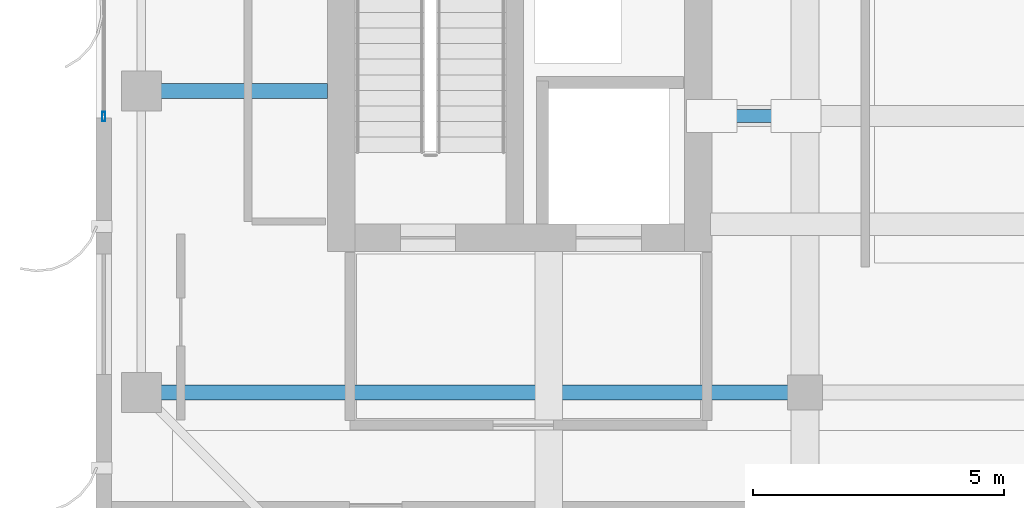
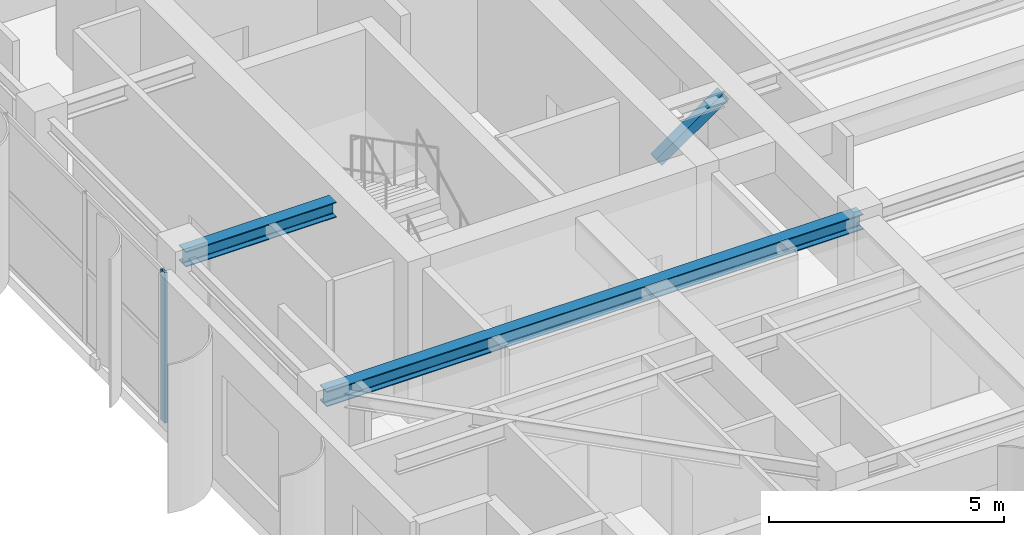
# One storey, part 4 of 26: 2 beams, 2 members, 1 element without a shape of its own.
"""IFC4 building model written with IfcOpenShell, lengths in metres."""

from ifc_helpers import new_model, si_unit, direction, frame, origin, origin_2d, place, context, subcontext, project, spatial, hollow_rectangle, i_section, extrude, source, transform, mapped, material, layer, layer_set, material_profile, profile_set, type_object, element, aggregate, save


model = new_model("IFC4")

# Units and contexts
model_context = context("Model", 3, precision=1e-05, world=origin(), true_north=direction((0.0, 1.0)))
body_context = subcontext(model_context, "Body", "Model", "MODEL_VIEW")
ifc_project = project(units=[si_unit("LENGTHUNIT", "METRE"), si_unit("AREAUNIT", "SQUARE_METRE"), si_unit("VOLUMEUNIT", "CUBIC_METRE"), si_unit("PLANEANGLEUNIT", "RADIAN"), si_unit("MASSUNIT", "GRAM", prefix="KILO")], contexts=[model_context])

# Site, building, storey
site_placement = place(None, origin())
site = spatial("IfcSite", under=ifc_project, at=site_placement, CompositionType="ELEMENT")
building_placement = place(site_placement, origin())
building = spatial("IfcBuilding", under=site, at=building_placement, Name="Khoralis Quay Care Tower", CompositionType="ELEMENT")
storey_placement = place(building_placement, frame((0.0, 0.0, 289.5)))
storey = spatial("IfcBuildingStorey", under=building, at=storey_placement, Name="L76", CompositionType="ELEMENT", Elevation=289.5)

# Beams
ifc_material_1 = material(Name="Steel S355", Category="steel")
ifc_material_profile_1 = material_profile(ifc_material_1, i_section(OverallWidth=0.300048828125, OverallDepth=0.39990234375, WebThickness=0.013427734375, FlangeThickness=0.02392578125, FilletRadius=0.027099609375, at=origin_2d()), Name="Steel S355")
ifc_profile_set_1 = profile_set([ifc_material_profile_1], Name="Steel S355")
beam_type = type_object("IfcBeamType", Name="BM-HEB400", PredefinedType="BEAM", material=ifc_profile_set_1)
shared_shape_1 = source(origin(), body_context, "Body", "SweptSolid", [
    extrude(i_section(OverallWidth=0.300048828125, OverallDepth=0.39990234375, WebThickness=0.013427734375, FlangeThickness=0.02392578125, FilletRadius=0.027099609375, at=origin_2d()), origin(), (0.0, 0.0, 1.0), 13.2001953125),
])
beam_1_placement = place(storey_placement, frame((3.89990234375, 12.0, 3.719970703125), z_axis=(1.0, 0.0, 0.0), x_axis=(0.0, 1.0, 0.0)))
element("IfcBeam", 1, at=beam_1_placement, inside=storey, type_object=beam_type, Name="BM-TGXW-L76-120", PredefinedType="BEAM", context=body_context, shape_type="MappedRepresentation", body=[
    mapped(shared_shape_1, transform((0.0, 0.0, 0.0), scale=1.0)),
])
shared_shape_2 = source(origin(), body_context, "Body", "SweptSolid", [
    extrude(i_section(OverallWidth=0.300048828125, OverallDepth=0.39990234375, WebThickness=0.013427734375, FlangeThickness=0.02392578125, FilletRadius=0.027099609375, at=origin_2d()), origin(), (0.0, 0.0, 1.0), 3.7021484375),
])
beam_2_placement = place(storey_placement, frame((3.89990234375, 18.0, 3.719970703125), z_axis=(1.0, 0.0, 0.0), x_axis=(0.0, 1.0, 0.0)))
element("IfcBeam", 2, at=beam_2_placement, inside=storey, type_object=beam_type, Name="BM-TGXW-L76-180", PredefinedType="BEAM", context=body_context, shape_type="MappedRepresentation", body=[
    mapped(shared_shape_2, transform((0.0, 0.0, 0.0), scale=1.0)),
])

# Member
ifc_material_profile_2 = material_profile(ifc_material_1, hollow_rectangle(XDim=0.25, YDim=0.25, WallThickness=0.012451171875, at=origin_2d()), Name="Steel S355")
ifc_profile_set_2 = profile_set([ifc_material_profile_2], Name="Steel S355")
member_type_1 = type_object("IfcMemberType", Name="BR-RHS250X250X12", PredefinedType="BRACE", material=ifc_profile_set_2)
shared_shape_3 = source(origin(), body_context, "Body", "SweptSolid", [
    extrude(hollow_rectangle(XDim=0.25, YDim=0.25, WallThickness=0.012451171875, at=origin_2d()), origin(), (0.0, 0.0, 1.0), 2.016845703125),
])
member_1_placement = place(storey_placement, frame((15.262939453125, 17.5, 2.550048828125), z_axis=(0.821551086288, 0.0, 0.570134907384), x_axis=(0.0, 1.0, 0.0)))
element("IfcMember", 3, at=member_1_placement, inside=storey, type_object=member_type_1, Name="L76 Sky Pool Space Truss Diagonal 1", PredefinedType="BRACE", context=body_context, shape_type="MappedRepresentation", body=[
    mapped(shared_shape_3, transform((0.0, 0.0, 0.0), scale=1.0)),
])

# Curtain wall, member
ifc_material_2 = material(Name="Pale anodised aluminium", Category="aluminium")
ifc_layer = layer(ifc_material_2, 0.159912109375)
ifc_layer_set = layer_set([ifc_layer], Name="Pale anodised aluminium")
curtain_wall_type = type_object("IfcCurtainWallType", Name="CW-SYS-Z3", PredefinedType="NOTDEFINED", material=ifc_layer_set)
curtain_wall_placement = place(storey_placement, origin())
curtain_wall = element("IfcCurtainWall", 4, at=curtain_wall_placement, inside=storey, type_object=curtain_wall_type, Name="L76 Unitised Curtain Wall CW-L76-P1-E15", PredefinedType="NOTDEFINED")
ifc_material_profile_3 = material_profile(ifc_material_2, hollow_rectangle(XDim=0.06494140625, YDim=0.179931640625, WallThickness=0.00390625, at=origin_2d()), Name="Pale anodised aluminium")
ifc_profile_set_3 = profile_set([ifc_material_profile_3], Name="Pale anodised aluminium")
member_type_2 = type_object("IfcMemberType", Name="CW-MUL-180", PredefinedType="MULLION", material=ifc_profile_set_3)
shared_shape_4 = source(origin(), body_context, "Body", "SweptSolid", [
    extrude(hollow_rectangle(XDim=0.06494140625, YDim=0.179931640625, WallThickness=0.00390625, at=origin_2d()), origin(), (0.0, 0.0, 1.0), 3.919921875),
])
member_2_placement = place(storey_placement, frame((3.14990234375, 17.489990234375, 0.0), z_axis=(0.0, 0.0, 1.0), x_axis=(1.0, 0.0, 0.0)))
member_2 = element("IfcMember", 5, at=member_2_placement, type_object=member_type_2, Name="CW3 mullion 4", PredefinedType="MULLION", context=body_context, shape_type="MappedRepresentation", body=[
    mapped(shared_shape_4, transform((0.0, 0.0, 0.0), scale=1.0)),
])
aggregate(curtain_wall, [member_2])

save(model, "model.ifc")
